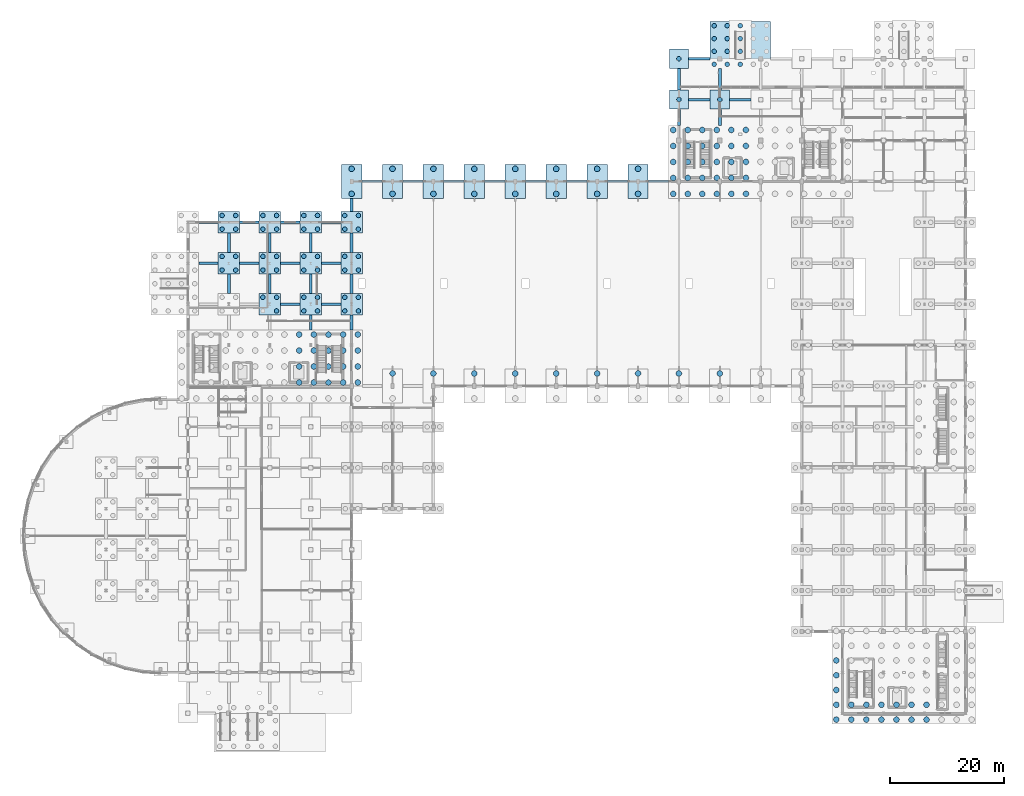
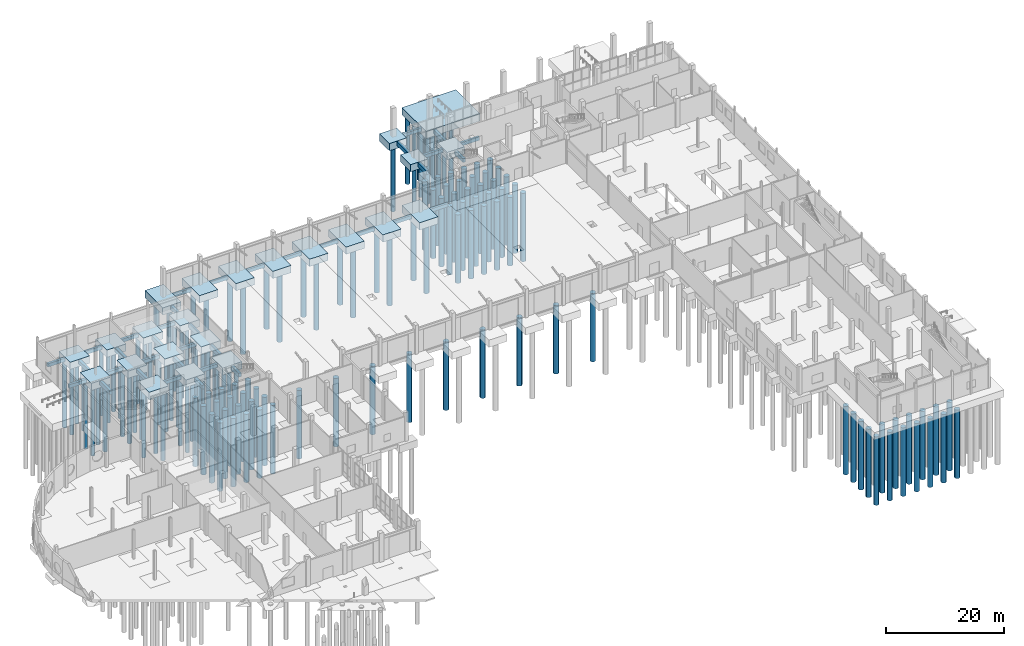
# One storey, part 3 of 45: 150 piles, 59 footings.
"""IFC4 building model written with IfcOpenShell, lengths in metres."""

from ifc_helpers import new_model, si_unit, direction, frame, origin, origin_2d, place, context, subcontext, project, spatial, rectangle, circle, extrude, material, material_profile, profile_set, type_object, element, save


model = new_model("IFC4")

# Units and contexts
model_context = context("Model", 3, precision=1e-05, world=origin(), true_north=direction((0.0, 1.0)))
body_context = subcontext(model_context, "Body", "Model", "MODEL_VIEW")
ifc_project = project(units=[si_unit("LENGTHUNIT", "METRE"), si_unit("AREAUNIT", "SQUARE_METRE"), si_unit("VOLUMEUNIT", "CUBIC_METRE"), si_unit("PLANEANGLEUNIT", "RADIAN"), si_unit("MASSUNIT", "GRAM", prefix="KILO")], contexts=[model_context])

# Site, building, storey
site_placement = place(None, origin())
site = spatial("IfcSite", under=ifc_project, at=site_placement, CompositionType="ELEMENT")
building_placement = place(site_placement, origin())
building = spatial("IfcBuilding", under=site, at=building_placement, Name="Yarey Park Central Fire Station", CompositionType="ELEMENT")
storey_placement = place(building_placement, origin())
storey = spatial("IfcBuildingStorey", under=building, at=storey_placement, Name="L01", CompositionType="ELEMENT", Elevation=0.0)

# Footings
ifc_material = material(Name="Concrete C35/45", Category="concrete")
footing_type_1 = type_object("IfcFootingType", Name="STR_CAP_M06", PredefinedType="PILE_CAP", material=ifc_material)
footing_1_placement = place(storey_placement, frame((126.0, 117.60009765625, -1.5), z_axis=(0.0, 0.0, 1.0), x_axis=(1.0, 0.0, 0.0)))
element("IfcFooting", 1, at=footing_1_placement, inside=storey, type_object=footing_type_1, Name="FDN_CAP_006", PredefinedType="PILE_CAP", context=body_context, shape_type="SweptSolid", body=[
    extrude(rectangle(XDim=10.60009765625, YDim=8.199951171875, at=origin_2d()), origin(), (0.0, 0.0, 1.0), 1.5),
])
footing_type_2 = type_object("IfcFootingType", Name="STR_CAP_PC4", PredefinedType="PILE_CAP", material=ifc_material)
for number, where, z_axis, x_axis, name in (
    (2, (115.199951171875, 108.0, -1.5), (0.0, 0.0, 1.0), (1.0, 0.0, 0.0), "FDN_CAP_086"),
    (3, (115.199951171875, 115.199951171875, -1.5), (0.0, 0.0, 1.0), (1.0, 0.0, 0.0), "FDN_CAP_087"),
    (4, (122.39990234375, 108.0, -1.5), (0.0, 0.0, 1.0), (1.0, 0.0, 0.0), "FDN_CAP_089"),
):
    element("IfcFooting", number, at=place(storey_placement, frame(where, z_axis=z_axis, x_axis=x_axis)), inside=storey, type_object=footing_type_2, Name=name, PredefinedType="PILE_CAP", context=body_context, shape_type="SweptSolid", body=[
        extrude(rectangle(XDim=3.39990234375, YDim=3.39990234375, at=origin_2d()), origin(), (0.0, 0.0, 1.0), 1.5),
    ])
footing_type_3 = type_object("IfcFootingType", Name="STR_CAP_PC4H", PredefinedType="PILE_CAP", material=ifc_material)
for number, where, z_axis, x_axis, name in (
    (5, (36.0, 79.199951171875, -1.5), (0.0, 0.0, 1.0), (1.0, 0.0, 0.0), "FDN_CAP_035"),
    (6, (36.0, 86.39990234375, -1.5), (0.0, 0.0, 1.0), (1.0, 0.0, 0.0), "FDN_CAP_036"),
    (7, (43.199951171875, 72.0, -1.5), (0.0, 0.0, 1.0), (1.0, 0.0, 0.0), "FDN_CAP_041"),
    (8, (43.199951171875, 79.199951171875, -1.5), (0.0, 0.0, 1.0), (1.0, 0.0, 0.0), "FDN_CAP_042"),
    (9, (43.199951171875, 86.39990234375, -1.5), (0.0, 0.0, 1.0), (1.0, 0.0, 0.0), "FDN_CAP_043"),
    (10, (50.39990234375, 72.0, -1.5), (0.0, 0.0, 1.0), (1.0, 0.0, 0.0), "FDN_CAP_051"),
    (11, (50.39990234375, 79.199951171875, -1.5), (0.0, 0.0, 1.0), (1.0, 0.0, 0.0), "FDN_CAP_052"),
    (12, (50.39990234375, 86.39990234375, -1.5), (0.0, 0.0, 1.0), (1.0, 0.0, 0.0), "FDN_CAP_053"),
    (13, (57.60009765625, 72.0, -1.5), (0.0, 0.0, 1.0), (1.0, 0.0, 0.0), "FDN_CAP_061"),
    (14, (57.60009765625, 79.199951171875, -1.5), (0.0, 0.0, 1.0), (1.0, 0.0, 0.0), "FDN_CAP_062"),
    (15, (57.60009765625, 86.39990234375, -1.5), (0.0, 0.0, 1.0), (1.0, 0.0, 0.0), "FDN_CAP_063"),
):
    element("IfcFooting", number, at=place(storey_placement, frame(where, z_axis=z_axis, x_axis=x_axis)), inside=storey, type_object=footing_type_3, Name=name, PredefinedType="PILE_CAP", context=body_context, shape_type="SweptSolid", body=[
        extrude(rectangle(XDim=3.800048828125, YDim=3.800048828125, at=origin_2d()), origin(), (0.0, 0.0, 1.0), 1.5),
    ])
footing_type_4 = type_object("IfcFootingType", Name="STR_CAP_PC6B", PredefinedType="PILE_CAP", material=ifc_material)
for number, where, z_axis, x_axis, name in (
    (16, (57.60009765625, 93.60009765625, -1.5), (0.0, 0.0, 1.0), (1.0, 0.0, 0.0), "FDN_CAP_064"),
    (17, (64.800048828125, 93.60009765625, -1.5), (0.0, 0.0, 1.0), (1.0, 0.0, 0.0), "FDN_CAP_069"),
    (18, (72.0, 93.60009765625, -1.5), (0.0, 0.0, 1.0), (1.0, 0.0, 0.0), "FDN_CAP_074"),
    (19, (79.199951171875, 93.60009765625, -1.5), (0.0, 0.0, 1.0), (1.0, 0.0, 0.0), "FDN_CAP_076"),
    (20, (86.39990234375, 93.60009765625, -1.5), (0.0, 0.0, 1.0), (1.0, 0.0, 0.0), "FDN_CAP_078"),
    (21, (93.60009765625, 93.60009765625, -1.5), (0.0, 0.0, 1.0), (1.0, 0.0, 0.0), "FDN_CAP_080"),
    (22, (100.800048828125, 93.60009765625, -1.5), (0.0, 0.0, 1.0), (1.0, 0.0, 0.0), "FDN_CAP_082"),
    (23, (108.0, 93.60009765625, -1.5), (0.0, 0.0, 1.0), (1.0, 0.0, 0.0), "FDN_CAP_084"),
):
    element("IfcFooting", number, at=place(storey_placement, frame(where, z_axis=z_axis, x_axis=x_axis)), inside=storey, type_object=footing_type_4, Name=name, PredefinedType="PILE_CAP", context=body_context, shape_type="SweptSolid", body=[
        extrude(rectangle(XDim=3.60009765625, YDim=6.0, at=origin_2d()), origin(), (0.0, 0.0, 1.0), 1.5),
    ])
footing_type_5 = type_object("IfcFootingType", Name="STR_GB_1", PredefinedType="FOOTING_BEAM", material=ifc_material)
for number, where, z_axis, x_axis, name in (
    (24, (46.800048828125, 72.0, -0.85009765625), (0.0, 0.0, 1.0), (1.0, 0.0, 0.0), "FDN_GBX_075"),
    (25, (54.0, 72.0, -0.85009765625), (0.0, 0.0, 1.0), (1.0, 0.0, 0.0), "FDN_GBX_076"),
    (26, (32.39990234375, 79.199951171875, -0.85009765625), (0.0, 0.0, 1.0), (1.0, 0.0, 0.0), "FDN_GBX_079"),
    (27, (39.60009765625, 79.199951171875, -0.85009765625), (0.0, 0.0, 1.0), (1.0, 0.0, 0.0), "FDN_GBX_080"),
    (28, (46.800048828125, 79.199951171875, -0.85009765625), (0.0, 0.0, 1.0), (1.0, 0.0, 0.0), "FDN_GBX_081"),
    (29, (54.0, 79.199951171875, -0.85009765625), (0.0, 0.0, 1.0), (1.0, 0.0, 0.0), "FDN_GBX_082"),
    (30, (32.39990234375, 86.39990234375, -0.85009765625), (0.0, 0.0, 1.0), (1.0, 0.0, 0.0), "FDN_GBX_085"),
    (31, (39.60009765625, 86.39990234375, -0.85009765625), (0.0, 0.0, 1.0), (1.0, 0.0, 0.0), "FDN_GBX_086"),
    (32, (46.800048828125, 86.39990234375, -0.85009765625), (0.0, 0.0, 1.0), (1.0, 0.0, 0.0), "FDN_GBX_087"),
    (33, (54.0, 86.39990234375, -0.85009765625), (0.0, 0.0, 1.0), (1.0, 0.0, 0.0), "FDN_GBX_088"),
):
    element("IfcFooting", number, at=place(storey_placement, frame(where, z_axis=z_axis, x_axis=x_axis)), inside=storey, type_object=footing_type_5, Name=name, PredefinedType="FOOTING_BEAM", context=body_context, shape_type="SweptSolid", body=[
        extrude(rectangle(XDim=3.384033203125, YDim=0.449951171875, at=origin_2d()), origin(), (0.0, 0.0, 1.0), 0.699951171875),
    ])
for number, where, z_axis, x_axis, name in (
    (34, (61.199951171875, 93.60009765625, -0.85009765625), (0.0, 0.0, 1.0), (1.0, 0.0, 0.0), "FDN_GBX_091"),
    (35, (68.39990234375, 93.60009765625, -0.85009765625), (0.0, 0.0, 1.0), (1.0, 0.0, 0.0), "FDN_GBX_092"),
    (36, (75.60009765625, 93.60009765625, -0.85009765625), (0.0, 0.0, 1.0), (1.0, 0.0, 0.0), "FDN_GBX_093"),
    (37, (82.800048828125, 93.60009765625, -0.85009765625), (0.0, 0.0, 1.0), (1.0, 0.0, 0.0), "FDN_GBX_094"),
    (38, (90.0, 93.60009765625, -0.85009765625), (0.0, 0.0, 1.0), (1.0, 0.0, 0.0), "FDN_GBX_095"),
    (39, (97.199951171875, 93.60009765625, -0.85009765625), (0.0, 0.0, 1.0), (1.0, 0.0, 0.0), "FDN_GBX_096"),
    (40, (104.39990234375, 93.60009765625, -0.85009765625), (0.0, 0.0, 1.0), (1.0, 0.0, 0.0), "FDN_GBX_097"),
    (41, (111.60009765625, 93.60009765625, -0.85009765625), (0.0, 0.0, 1.0), (1.0, 0.0, 0.0), "FDN_GBX_098"),
):
    element("IfcFooting", number, at=place(storey_placement, frame(where, z_axis=z_axis, x_axis=x_axis)), inside=storey, type_object=footing_type_5, Name=name, PredefinedType="FOOTING_BEAM", context=body_context, shape_type="SweptSolid", body=[
        extrude(rectangle(XDim=3.583984375, YDim=0.449951171875, at=origin_2d()), origin(), (0.0, 0.0, 1.0), 0.699951171875),
    ])
for number, where, z_axis, x_axis, name in (
    (42, (118.800048828125, 108.0, -0.85009765625), (0.0, 0.0, 1.0), (1.0, 0.0, 0.0), "FDN_GBX_105"),
    (43, (126.0, 108.0, -0.85009765625), (0.0, 0.0, 1.0), (1.0, 0.0, 0.0), "FDN_GBX_106"),
    (44, (118.800048828125, 115.199951171875, -0.85009765625), (0.0, 0.0, 1.0), (1.0, 0.0, 0.0), "FDN_GBX_112"),
):
    element("IfcFooting", number, at=place(storey_placement, frame(where, z_axis=z_axis, x_axis=x_axis)), inside=storey, type_object=footing_type_5, Name=name, PredefinedType="FOOTING_BEAM", context=body_context, shape_type="SweptSolid", body=[
        extrude(rectangle(XDim=3.783935546875, YDim=0.449951171875, at=origin_2d()), origin(), (0.0, 0.0, 1.0), 0.699951171875),
    ])
footing_type_6 = type_object("IfcFootingType", Name="STR_GB_2", PredefinedType="FOOTING_BEAM", material=ifc_material)
for number, where, z_axis, x_axis, name in (
    (45, (36.0, 75.60009765625, -0.89990234375), (0.0, 0.0, 1.0), (1.0, 0.0, 0.0), "FDN_GBY_142"),
    (46, (36.0, 82.800048828125, -0.89990234375), (0.0, 0.0, 1.0), (1.0, 0.0, 0.0), "FDN_GBY_143"),
    (47, (43.199951171875, 75.60009765625, -0.89990234375), (0.0, 0.0, 1.0), (1.0, 0.0, 0.0), "FDN_GBY_149"),
    (48, (43.199951171875, 82.800048828125, -0.89990234375), (0.0, 0.0, 1.0), (1.0, 0.0, 0.0), "FDN_GBY_150"),
):
    element("IfcFooting", number, at=place(storey_placement, frame(where, z_axis=z_axis, x_axis=x_axis)), inside=storey, type_object=footing_type_6, Name=name, PredefinedType="FOOTING_BEAM", context=body_context, shape_type="SweptSolid", body=[
        extrude(rectangle(XDim=0.5, YDim=3.384033203125, at=origin_2d()), origin(), (0.0, 0.0, 1.0), 0.800048828125),
    ])
footing_2_placement = place(storey_placement, frame((50.39990234375, 68.77490234375, -0.89990234375), z_axis=(0.0, 0.0, 1.0), x_axis=(1.0, 0.0, 0.0)))
element("IfcFooting", 49, at=footing_2_placement, inside=storey, type_object=footing_type_6, Name="FDN_GBY_158", PredefinedType="FOOTING_BEAM", context=body_context, shape_type="SweptSolid", body=[
    extrude(rectangle(XDim=0.5, YDim=2.634033203125, at=origin_2d()), origin(), (0.0, 0.0, 1.0), 0.800048828125),
])
for number, where, z_axis, x_axis, name in (
    (50, (50.39990234375, 75.60009765625, -0.89990234375), (0.0, 0.0, 1.0), (1.0, 0.0, 0.0), "FDN_GBY_159"),
    (51, (50.39990234375, 82.800048828125, -0.89990234375), (0.0, 0.0, 1.0), (1.0, 0.0, 0.0), "FDN_GBY_160"),
):
    element("IfcFooting", number, at=place(storey_placement, frame(where, z_axis=z_axis, x_axis=x_axis)), inside=storey, type_object=footing_type_6, Name=name, PredefinedType="FOOTING_BEAM", context=body_context, shape_type="SweptSolid", body=[
        extrude(rectangle(XDim=0.5, YDim=3.384033203125, at=origin_2d()), origin(), (0.0, 0.0, 1.0), 0.800048828125),
    ])
footing_3_placement = place(storey_placement, frame((57.60009765625, 68.77490234375, -0.89990234375), z_axis=(0.0, 0.0, 1.0), x_axis=(1.0, 0.0, 0.0)))
element("IfcFooting", 52, at=footing_3_placement, inside=storey, type_object=footing_type_6, Name="FDN_GBY_168", PredefinedType="FOOTING_BEAM", context=body_context, shape_type="SweptSolid", body=[
    extrude(rectangle(XDim=0.5, YDim=2.634033203125, at=origin_2d()), origin(), (0.0, 0.0, 1.0), 0.800048828125),
])
for number, where, z_axis, x_axis, name in (
    (53, (57.60009765625, 75.60009765625, -0.89990234375), (0.0, 0.0, 1.0), (1.0, 0.0, 0.0), "FDN_GBY_169"),
    (54, (57.60009765625, 82.800048828125, -0.89990234375), (0.0, 0.0, 1.0), (1.0, 0.0, 0.0), "FDN_GBY_170"),
):
    element("IfcFooting", number, at=place(storey_placement, frame(where, z_axis=z_axis, x_axis=x_axis)), inside=storey, type_object=footing_type_6, Name=name, PredefinedType="FOOTING_BEAM", context=body_context, shape_type="SweptSolid", body=[
        extrude(rectangle(XDim=0.5, YDim=3.384033203125, at=origin_2d()), origin(), (0.0, 0.0, 1.0), 0.800048828125),
    ])
footing_4_placement = place(storey_placement, frame((57.60009765625, 89.449951171875, -0.89990234375), z_axis=(0.0, 0.0, 1.0), x_axis=(1.0, 0.0, 0.0)))
element("IfcFooting", 55, at=footing_4_placement, inside=storey, type_object=footing_type_6, Name="FDN_GBY_171", PredefinedType="FOOTING_BEAM", context=body_context, shape_type="SweptSolid", body=[
    extrude(rectangle(XDim=0.5, YDim=2.283935546875, at=origin_2d()), origin(), (0.0, 0.0, 1.0), 0.800048828125),
])
footing_5_placement = place(storey_placement, frame((115.199951171875, 104.875, -0.89990234375), z_axis=(0.0, 0.0, 1.0), x_axis=(1.0, 0.0, 0.0)))
element("IfcFooting", 56, at=footing_5_placement, inside=storey, type_object=footing_type_6, Name="FDN_GBY_178", PredefinedType="FOOTING_BEAM", context=body_context, shape_type="SweptSolid", body=[
    extrude(rectangle(XDim=0.5, YDim=2.833984375, at=origin_2d()), origin(), (0.0, 0.0, 1.0), 0.800048828125),
])
footing_6_placement = place(storey_placement, frame((115.199951171875, 111.60009765625, -0.89990234375), z_axis=(0.0, 0.0, 1.0), x_axis=(1.0, 0.0, 0.0)))
element("IfcFooting", 57, at=footing_6_placement, inside=storey, type_object=footing_type_6, Name="FDN_GBY_179", PredefinedType="FOOTING_BEAM", context=body_context, shape_type="SweptSolid", body=[
    extrude(rectangle(XDim=0.5, YDim=3.783935546875, at=origin_2d()), origin(), (0.0, 0.0, 1.0), 0.800048828125),
])
footing_7_placement = place(storey_placement, frame((122.39990234375, 104.875, -0.89990234375), z_axis=(0.0, 0.0, 1.0), x_axis=(1.0, 0.0, 0.0)))
element("IfcFooting", 58, at=footing_7_placement, inside=storey, type_object=footing_type_6, Name="FDN_GBY_180", PredefinedType="FOOTING_BEAM", context=body_context, shape_type="SweptSolid", body=[
    extrude(rectangle(XDim=0.5, YDim=2.833984375, at=origin_2d()), origin(), (0.0, 0.0, 1.0), 0.800048828125),
])
footing_8_placement = place(storey_placement, frame((122.39990234375, 111.60009765625, -0.89990234375), z_axis=(0.0, 0.0, 1.0), x_axis=(1.0, 0.0, 0.0)))
element("IfcFooting", 59, at=footing_8_placement, inside=storey, type_object=footing_type_6, Name="FDN_GBY_181", PredefinedType="FOOTING_BEAM", context=body_context, shape_type="SweptSolid", body=[
    extrude(rectangle(XDim=0.5, YDim=3.783935546875, at=origin_2d()), origin(), (0.0, 0.0, 1.0), 0.800048828125),
])

# Piles
ifc_material_profile_1 = material_profile(ifc_material, circle(Radius=0.5, at=origin_2d()), Name="BORED PILE D1000")
ifc_profile_set_1 = profile_set([ifc_material_profile_1], Name="Concrete C35/45")
pile_type_1 = type_object("IfcPileType", Name="STR_PILE_D1000", PredefinedType="BORED", material=ifc_profile_set_1)
for number, where, z_axis, x_axis, name in (
    (60, (114.199951171875, 91.39990234375, -1.300048828125), (0.0, 0.0, -1.0), (1.0, 0.0, 0.0), "FDN_PILE_X11420_Y9140"),
    (61, (114.199951171875, 94.21240234375, -1.300048828125), (0.0, 0.0, -1.0), (1.0, 0.0, 0.0), "FDN_PILE_X11420_Y9421"),
    (62, (114.199951171875, 97.02490234375, -1.300048828125), (0.0, 0.0, -1.0), (1.0, 0.0, 0.0), "FDN_PILE_X11420_Y9702"),
    (63, (114.199951171875, 99.83740234375, -1.300048828125), (0.0, 0.0, -1.0), (1.0, 0.0, 0.0), "FDN_PILE_X11420_Y9984"),
    (64, (114.199951171875, 102.64990234375, -1.300048828125), (0.0, 0.0, -1.0), (1.0, 0.0, 0.0), "FDN_PILE_X11420_Y10265"),
    (65, (116.75830078125, 91.39990234375, -1.300048828125), (0.0, 0.0, -1.0), (1.0, 0.0, 0.0), "FDN_PILE_X11676_Y9140"),
    (66, (116.75830078125, 94.21240234375, -1.300048828125), (0.0, 0.0, -1.0), (1.0, 0.0, 0.0), "FDN_PILE_X11676_Y9421"),
    (67, (116.75830078125, 97.02490234375, -1.300048828125), (0.0, 0.0, -1.0), (1.0, 0.0, 0.0), "FDN_PILE_X11676_Y9702"),
    (68, (116.75830078125, 99.83740234375, -1.300048828125), (0.0, 0.0, -1.0), (1.0, 0.0, 0.0), "FDN_PILE_X11676_Y9984"),
    (69, (116.75830078125, 102.64990234375, -1.300048828125), (0.0, 0.0, -1.0), (1.0, 0.0, 0.0), "FDN_PILE_X11676_Y10265"),
    (70, (119.316650390625, 91.39990234375, -1.300048828125), (0.0, 0.0, -1.0), (1.0, 0.0, 0.0), "FDN_PILE_X11932_Y9140"),
    (71, (119.316650390625, 94.21240234375, -1.300048828125), (0.0, 0.0, -1.0), (1.0, 0.0, 0.0), "FDN_PILE_X11932_Y9421"),
    (72, (119.316650390625, 97.02490234375, -1.300048828125), (0.0, 0.0, -1.0), (1.0, 0.0, 0.0), "FDN_PILE_X11932_Y9702"),
    (73, (119.316650390625, 99.83740234375, -1.300048828125), (0.0, 0.0, -1.0), (1.0, 0.0, 0.0), "FDN_PILE_X11932_Y9984"),
    (74, (119.316650390625, 102.64990234375, -1.300048828125), (0.0, 0.0, -1.0), (1.0, 0.0, 0.0), "FDN_PILE_X11932_Y10265"),
    (75, (121.875, 91.39990234375, -1.300048828125), (0.0, 0.0, -1.0), (1.0, 0.0, 0.0), "FDN_PILE_X12188_Y9140"),
    (76, (121.875, 94.21240234375, -1.300048828125), (0.0, 0.0, -1.0), (1.0, 0.0, 0.0), "FDN_PILE_X12188_Y9421"),
    (77, (121.875, 97.02490234375, -1.300048828125), (0.0, 0.0, -1.0), (1.0, 0.0, 0.0), "FDN_PILE_X12188_Y9702"),
    (78, (121.875, 99.83740234375, -1.300048828125), (0.0, 0.0, -1.0), (1.0, 0.0, 0.0), "FDN_PILE_X12188_Y9984"),
    (79, (121.875, 102.64990234375, -1.300048828125), (0.0, 0.0, -1.0), (1.0, 0.0, 0.0), "FDN_PILE_X12188_Y10265"),
    (80, (124.433349609375, 91.39990234375, -1.300048828125), (0.0, 0.0, -1.0), (1.0, 0.0, 0.0), "FDN_PILE_X12443_Y9140"),
    (81, (124.433349609375, 94.21240234375, -1.300048828125), (0.0, 0.0, -1.0), (1.0, 0.0, 0.0), "FDN_PILE_X12443_Y9421"),
    (82, (124.433349609375, 97.02490234375, -1.300048828125), (0.0, 0.0, -1.0), (1.0, 0.0, 0.0), "FDN_PILE_X12443_Y9702"),
    (83, (124.433349609375, 99.83740234375, -1.300048828125), (0.0, 0.0, -1.0), (1.0, 0.0, 0.0), "FDN_PILE_X12443_Y9984"),
    (84, (124.433349609375, 102.64990234375, -1.300048828125), (0.0, 0.0, -1.0), (1.0, 0.0, 0.0), "FDN_PILE_X12443_Y10265"),
    (85, (126.99169921875, 91.39990234375, -1.300048828125), (0.0, 0.0, -1.0), (1.0, 0.0, 0.0), "FDN_PILE_X12699_Y9140"),
    (86, (126.99169921875, 94.21240234375, -1.300048828125), (0.0, 0.0, -1.0), (1.0, 0.0, 0.0), "FDN_PILE_X12699_Y9421"),
    (87, (126.99169921875, 97.02490234375, -1.300048828125), (0.0, 0.0, -1.0), (1.0, 0.0, 0.0), "FDN_PILE_X12699_Y9702"),
    (88, (126.99169921875, 99.83740234375, -1.300048828125), (0.0, 0.0, -1.0), (1.0, 0.0, 0.0), "FDN_PILE_X12699_Y9984"),
    (89, (126.99169921875, 102.64990234375, -1.300048828125), (0.0, 0.0, -1.0), (1.0, 0.0, 0.0), "FDN_PILE_X12699_Y10265"),
    (90, (48.36669921875, 58.21240234375, -1.300048828125), (0.0, 0.0, -1.0), (1.0, 0.0, 0.0), "FDN_PILE_X4837_Y5821"),
    (91, (48.36669921875, 61.02490234375, -1.300048828125), (0.0, 0.0, -1.0), (1.0, 0.0, 0.0), "FDN_PILE_X4837_Y6102"),
    (92, (48.36669921875, 63.83740234375, -1.300048828125), (0.0, 0.0, -1.0), (1.0, 0.0, 0.0), "FDN_PILE_X4837_Y6384"),
    (93, (48.36669921875, 66.64990234375, -1.300048828125), (0.0, 0.0, -1.0), (1.0, 0.0, 0.0), "FDN_PILE_X4837_Y6665"),
    (94, (50.949951171875, 58.21240234375, -1.300048828125), (0.0, 0.0, -1.0), (1.0, 0.0, 0.0), "FDN_PILE_X5095_Y5821"),
    (95, (50.949951171875, 61.02490234375, -1.300048828125), (0.0, 0.0, -1.0), (1.0, 0.0, 0.0), "FDN_PILE_X5095_Y6102"),
    (96, (50.949951171875, 63.83740234375, -1.300048828125), (0.0, 0.0, -1.0), (1.0, 0.0, 0.0), "FDN_PILE_X5095_Y6384"),
    (97, (50.949951171875, 66.64990234375, -1.300048828125), (0.0, 0.0, -1.0), (1.0, 0.0, 0.0), "FDN_PILE_X5095_Y6665"),
    (98, (53.533203125, 58.21240234375, -1.300048828125), (0.0, 0.0, -1.0), (1.0, 0.0, 0.0), "FDN_PILE_X5353_Y5821"),
    (99, (53.533203125, 61.02490234375, -1.300048828125), (0.0, 0.0, -1.0), (1.0, 0.0, 0.0), "FDN_PILE_X5353_Y6102"),
    (100, (53.533203125, 63.83740234375, -1.300048828125), (0.0, 0.0, -1.0), (1.0, 0.0, 0.0), "FDN_PILE_X5353_Y6384"),
    (101, (53.533203125, 66.64990234375, -1.300048828125), (0.0, 0.0, -1.0), (1.0, 0.0, 0.0), "FDN_PILE_X5353_Y6665"),
    (102, (56.11669921875, 58.21240234375, -1.300048828125), (0.0, 0.0, -1.0), (1.0, 0.0, 0.0), "FDN_PILE_X5612_Y5821"),
    (103, (56.11669921875, 61.02490234375, -1.300048828125), (0.0, 0.0, -1.0), (1.0, 0.0, 0.0), "FDN_PILE_X5612_Y6102"),
    (104, (56.11669921875, 63.83740234375, -1.300048828125), (0.0, 0.0, -1.0), (1.0, 0.0, 0.0), "FDN_PILE_X5612_Y6384"),
    (105, (56.11669921875, 66.64990234375, -1.300048828125), (0.0, 0.0, -1.0), (1.0, 0.0, 0.0), "FDN_PILE_X5612_Y6665"),
    (106, (58.699951171875, 58.21240234375, -1.300048828125), (0.0, 0.0, -1.0), (1.0, 0.0, 0.0), "FDN_PILE_X5870_Y5821"),
    (107, (58.699951171875, 61.02490234375, -1.300048828125), (0.0, 0.0, -1.0), (1.0, 0.0, 0.0), "FDN_PILE_X5870_Y6102"),
    (108, (58.699951171875, 63.83740234375, -1.300048828125), (0.0, 0.0, -1.0), (1.0, 0.0, 0.0), "FDN_PILE_X5870_Y6384"),
    (109, (58.699951171875, 66.64990234375, -1.300048828125), (0.0, 0.0, -1.0), (1.0, 0.0, 0.0), "FDN_PILE_X5870_Y6665"),
    (110, (142.89990234375, -1.10009765625, -1.300048828125), (0.0, 0.0, -1.0), (1.0, 0.0, 0.0), "FDN_PILE_X14290_Y-110"),
    (111, (142.89990234375, 1.5, -1.300048828125), (0.0, 0.0, -1.0), (1.0, 0.0, 0.0), "FDN_PILE_X14290_Y150"),
    (112, (142.89990234375, 4.10009765625, -1.300048828125), (0.0, 0.0, -1.0), (1.0, 0.0, 0.0), "FDN_PILE_X14290_Y410"),
    (113, (142.89990234375, 6.699951171875, -1.300048828125), (0.0, 0.0, -1.0), (1.0, 0.0, 0.0), "FDN_PILE_X14290_Y670"),
    (114, (142.89990234375, 9.300048828125, -1.300048828125), (0.0, 0.0, -1.0), (1.0, 0.0, 0.0), "FDN_PILE_X14290_Y930"),
    (115, (145.54443359375, -1.10009765625, -1.300048828125), (0.0, 0.0, -1.0), (1.0, 0.0, 0.0), "FDN_PILE_X14554_Y-110"),
    (116, (145.54443359375, 1.5, -1.300048828125), (0.0, 0.0, -1.0), (1.0, 0.0, 0.0), "FDN_PILE_X14554_Y150"),
    (117, (148.18896484375, -1.10009765625, -1.300048828125), (0.0, 0.0, -1.0), (1.0, 0.0, 0.0), "FDN_PILE_X14819_Y-110"),
    (118, (148.18896484375, 1.5, -1.300048828125), (0.0, 0.0, -1.0), (1.0, 0.0, 0.0), "FDN_PILE_X14819_Y150"),
    (119, (150.833251953125, -1.10009765625, -1.300048828125), (0.0, 0.0, -1.0), (1.0, 0.0, 0.0), "FDN_PILE_X15083_Y-110"),
    (120, (150.833251953125, 1.5, -1.300048828125), (0.0, 0.0, -1.0), (1.0, 0.0, 0.0), "FDN_PILE_X15083_Y150"),
    (121, (153.477783203125, -1.10009765625, -1.300048828125), (0.0, 0.0, -1.0), (1.0, 0.0, 0.0), "FDN_PILE_X15348_Y-110"),
    (122, (153.477783203125, 1.5, -1.300048828125), (0.0, 0.0, -1.0), (1.0, 0.0, 0.0), "FDN_PILE_X15348_Y150"),
    (123, (156.122314453125, -1.10009765625, -1.300048828125), (0.0, 0.0, -1.0), (1.0, 0.0, 0.0), "FDN_PILE_X15612_Y-110"),
    (124, (156.122314453125, 1.5, -1.300048828125), (0.0, 0.0, -1.0), (1.0, 0.0, 0.0), "FDN_PILE_X15612_Y150"),
    (125, (158.7666015625, -1.10009765625, -1.300048828125), (0.0, 0.0, -1.0), (1.0, 0.0, 0.0), "FDN_PILE_X15877_Y-110"),
    (126, (158.7666015625, 1.5, -1.300048828125), (0.0, 0.0, -1.0), (1.0, 0.0, 0.0), "FDN_PILE_X15877_Y150"),
    (127, (57.60009765625, 91.39990234375, -1.300048828125), (0.0, 0.0, -1.0), (1.0, 0.0, 0.0), "FDN_PILE_X5760_Y9140"),
    (128, (57.60009765625, 95.800048828125, -1.300048828125), (0.0, 0.0, -1.0), (1.0, 0.0, 0.0), "FDN_PILE_X5760_Y9580"),
    (129, (64.800048828125, 59.800048828125, -1.300048828125), (0.0, 0.0, -1.0), (1.0, 0.0, 0.0), "FDN_PILE_X6480_Y5980"),
    (130, (64.800048828125, 91.39990234375, -1.300048828125), (0.0, 0.0, -1.0), (1.0, 0.0, 0.0), "FDN_PILE_X6480_Y9140"),
    (131, (64.800048828125, 95.800048828125, -1.300048828125), (0.0, 0.0, -1.0), (1.0, 0.0, 0.0), "FDN_PILE_X6480_Y9580"),
    (132, (72.0, 59.800048828125, -1.300048828125), (0.0, 0.0, -1.0), (1.0, 0.0, 0.0), "FDN_PILE_X7200_Y5980"),
    (133, (72.0, 91.39990234375, -1.300048828125), (0.0, 0.0, -1.0), (1.0, 0.0, 0.0), "FDN_PILE_X7200_Y9140"),
    (134, (72.0, 95.800048828125, -1.300048828125), (0.0, 0.0, -1.0), (1.0, 0.0, 0.0), "FDN_PILE_X7200_Y9580"),
    (135, (79.199951171875, 59.800048828125, -1.300048828125), (0.0, 0.0, -1.0), (1.0, 0.0, 0.0), "FDN_PILE_X7920_Y5980"),
    (136, (79.199951171875, 91.39990234375, -1.300048828125), (0.0, 0.0, -1.0), (1.0, 0.0, 0.0), "FDN_PILE_X7920_Y9140"),
    (137, (79.199951171875, 95.800048828125, -1.300048828125), (0.0, 0.0, -1.0), (1.0, 0.0, 0.0), "FDN_PILE_X7920_Y9580"),
    (138, (86.39990234375, 59.800048828125, -1.300048828125), (0.0, 0.0, -1.0), (1.0, 0.0, 0.0), "FDN_PILE_X8640_Y5980"),
    (139, (86.39990234375, 91.39990234375, -1.300048828125), (0.0, 0.0, -1.0), (1.0, 0.0, 0.0), "FDN_PILE_X8640_Y9140"),
    (140, (86.39990234375, 95.800048828125, -1.300048828125), (0.0, 0.0, -1.0), (1.0, 0.0, 0.0), "FDN_PILE_X8640_Y9580"),
    (141, (93.60009765625, 59.800048828125, -1.300048828125), (0.0, 0.0, -1.0), (1.0, 0.0, 0.0), "FDN_PILE_X9360_Y5980"),
    (142, (93.60009765625, 91.39990234375, -1.300048828125), (0.0, 0.0, -1.0), (1.0, 0.0, 0.0), "FDN_PILE_X9360_Y9140"),
    (143, (93.60009765625, 95.800048828125, -1.300048828125), (0.0, 0.0, -1.0), (1.0, 0.0, 0.0), "FDN_PILE_X9360_Y9580"),
    (144, (100.800048828125, 59.800048828125, -1.300048828125), (0.0, 0.0, -1.0), (1.0, 0.0, 0.0), "FDN_PILE_X10080_Y5980"),
    (145, (100.800048828125, 91.39990234375, -1.300048828125), (0.0, 0.0, -1.0), (1.0, 0.0, 0.0), "FDN_PILE_X10080_Y9140"),
    (146, (100.800048828125, 95.800048828125, -1.300048828125), (0.0, 0.0, -1.0), (1.0, 0.0, 0.0), "FDN_PILE_X10080_Y9580"),
    (147, (108.0, 59.800048828125, -1.300048828125), (0.0, 0.0, -1.0), (1.0, 0.0, 0.0), "FDN_PILE_X10800_Y5980"),
    (148, (108.0, 91.39990234375, -1.300048828125), (0.0, 0.0, -1.0), (1.0, 0.0, 0.0), "FDN_PILE_X10800_Y9140"),
    (149, (108.0, 95.800048828125, -1.300048828125), (0.0, 0.0, -1.0), (1.0, 0.0, 0.0), "FDN_PILE_X10800_Y9580"),
    (150, (115.199951171875, 59.800048828125, -1.300048828125), (0.0, 0.0, -1.0), (1.0, 0.0, 0.0), "FDN_PILE_X11520_Y5980"),
    (151, (122.39990234375, 59.800048828125, -1.300048828125), (0.0, 0.0, -1.0), (1.0, 0.0, 0.0), "FDN_PILE_X12240_Y5980"),
):
    element("IfcPile", number, at=place(storey_placement, frame(where, z_axis=z_axis, x_axis=x_axis)), inside=storey, type_object=pile_type_1, Name=name, PredefinedType="BORED", context=body_context, shape_type="SweptSolid", body=[
        extrude(circle(Radius=0.5, at=origin_2d()), origin(), (0.0, 0.0, 1.0), 14.199951171875),
    ])
ifc_material_profile_2 = material_profile(ifc_material, circle(Radius=0.39990234375, at=origin_2d()), Name="BORED PILE D800")
ifc_profile_set_2 = profile_set([ifc_material_profile_2], Name="Concrete C35/45")
pile_type_2 = type_object("IfcPileType", Name="STR_PILE_D800", PredefinedType="BORED", material=ifc_profile_set_2)
for number, where, z_axis, x_axis, name in (
    (152, (121.39990234375, 114.199951171875, -1.300048828125), (0.0, 0.0, -1.0), (1.0, 0.0, 0.0), "FDN_PILE_X12140_Y11420"),
    (153, (121.39990234375, 116.466796875, -1.300048828125), (0.0, 0.0, -1.0), (1.0, 0.0, 0.0), "FDN_PILE_X12140_Y11647"),
    (154, (121.39990234375, 118.7333984375, -1.300048828125), (0.0, 0.0, -1.0), (1.0, 0.0, 0.0), "FDN_PILE_X12140_Y11873"),
    (155, (121.39990234375, 121.0, -1.300048828125), (0.0, 0.0, -1.0), (1.0, 0.0, 0.0), "FDN_PILE_X12140_Y12100"),
    (156, (123.699951171875, 114.199951171875, -1.300048828125), (0.0, 0.0, -1.0), (1.0, 0.0, 0.0), "FDN_PILE_X12370_Y11420"),
    (157, (123.699951171875, 116.466796875, -1.300048828125), (0.0, 0.0, -1.0), (1.0, 0.0, 0.0), "FDN_PILE_X12370_Y11647"),
    (158, (123.699951171875, 118.7333984375, -1.300048828125), (0.0, 0.0, -1.0), (1.0, 0.0, 0.0), "FDN_PILE_X12370_Y11873"),
    (159, (123.699951171875, 121.0, -1.300048828125), (0.0, 0.0, -1.0), (1.0, 0.0, 0.0), "FDN_PILE_X12370_Y12100"),
    (160, (126.0, 114.199951171875, -1.300048828125), (0.0, 0.0, -1.0), (1.0, 0.0, 0.0), "FDN_PILE_X12600_Y11420"),
    (161, (126.0, 116.466796875, -1.300048828125), (0.0, 0.0, -1.0), (1.0, 0.0, 0.0), "FDN_PILE_X12600_Y11647"),
    (162, (126.0, 118.7333984375, -1.300048828125), (0.0, 0.0, -1.0), (1.0, 0.0, 0.0), "FDN_PILE_X12600_Y11873"),
    (163, (126.0, 121.0, -1.300048828125), (0.0, 0.0, -1.0), (1.0, 0.0, 0.0), "FDN_PILE_X12600_Y12100"),
    (164, (34.800048828125, 78.0, -1.300048828125), (0.0, 0.0, -1.0), (1.0, 0.0, 0.0), "FDN_PILE_X3480_Y7800"),
    (165, (34.800048828125, 80.39990234375, -1.300048828125), (0.0, 0.0, -1.0), (1.0, 0.0, 0.0), "FDN_PILE_X3480_Y8040"),
    (166, (37.199951171875, 78.0, -1.300048828125), (0.0, 0.0, -1.0), (1.0, 0.0, 0.0), "FDN_PILE_X3720_Y7800"),
    (167, (37.199951171875, 80.39990234375, -1.300048828125), (0.0, 0.0, -1.0), (1.0, 0.0, 0.0), "FDN_PILE_X3720_Y8040"),
    (168, (34.800048828125, 85.199951171875, -1.300048828125), (0.0, 0.0, -1.0), (1.0, 0.0, 0.0), "FDN_PILE_X3480_Y8520"),
    (169, (34.800048828125, 87.60009765625, -1.300048828125), (0.0, 0.0, -1.0), (1.0, 0.0, 0.0), "FDN_PILE_X3480_Y8760"),
    (170, (37.199951171875, 85.199951171875, -1.300048828125), (0.0, 0.0, -1.0), (1.0, 0.0, 0.0), "FDN_PILE_X3720_Y8520"),
    (171, (37.199951171875, 87.60009765625, -1.300048828125), (0.0, 0.0, -1.0), (1.0, 0.0, 0.0), "FDN_PILE_X3720_Y8760"),
    (172, (42.0, 73.199951171875, -1.300048828125), (0.0, 0.0, -1.0), (1.0, 0.0, 0.0), "FDN_PILE_X4200_Y7320"),
    (173, (44.39990234375, 70.800048828125, -1.300048828125), (0.0, 0.0, -1.0), (1.0, 0.0, 0.0), "FDN_PILE_X4440_Y7080"),
    (174, (44.39990234375, 73.199951171875, -1.300048828125), (0.0, 0.0, -1.0), (1.0, 0.0, 0.0), "FDN_PILE_X4440_Y7320"),
    (175, (42.0, 78.0, -1.300048828125), (0.0, 0.0, -1.0), (1.0, 0.0, 0.0), "FDN_PILE_X4200_Y7800"),
    (176, (42.0, 80.39990234375, -1.300048828125), (0.0, 0.0, -1.0), (1.0, 0.0, 0.0), "FDN_PILE_X4200_Y8040"),
    (177, (44.39990234375, 78.0, -1.300048828125), (0.0, 0.0, -1.0), (1.0, 0.0, 0.0), "FDN_PILE_X4440_Y7800"),
    (178, (44.39990234375, 80.39990234375, -1.300048828125), (0.0, 0.0, -1.0), (1.0, 0.0, 0.0), "FDN_PILE_X4440_Y8040"),
    (179, (42.0, 85.199951171875, -1.300048828125), (0.0, 0.0, -1.0), (1.0, 0.0, 0.0), "FDN_PILE_X4200_Y8520"),
    (180, (42.0, 87.60009765625, -1.300048828125), (0.0, 0.0, -1.0), (1.0, 0.0, 0.0), "FDN_PILE_X4200_Y8760"),
    (181, (44.39990234375, 85.199951171875, -1.300048828125), (0.0, 0.0, -1.0), (1.0, 0.0, 0.0), "FDN_PILE_X4440_Y8520"),
    (182, (44.39990234375, 87.60009765625, -1.300048828125), (0.0, 0.0, -1.0), (1.0, 0.0, 0.0), "FDN_PILE_X4440_Y8760"),
    (183, (49.199951171875, 70.800048828125, -1.300048828125), (0.0, 0.0, -1.0), (1.0, 0.0, 0.0), "FDN_PILE_X4920_Y7080"),
    (184, (49.199951171875, 73.199951171875, -1.300048828125), (0.0, 0.0, -1.0), (1.0, 0.0, 0.0), "FDN_PILE_X4920_Y7320"),
    (185, (51.60009765625, 70.800048828125, -1.300048828125), (0.0, 0.0, -1.0), (1.0, 0.0, 0.0), "FDN_PILE_X5160_Y7080"),
    (186, (51.60009765625, 73.199951171875, -1.300048828125), (0.0, 0.0, -1.0), (1.0, 0.0, 0.0), "FDN_PILE_X5160_Y7320"),
    (187, (49.199951171875, 78.0, -1.300048828125), (0.0, 0.0, -1.0), (1.0, 0.0, 0.0), "FDN_PILE_X4920_Y7800"),
    (188, (49.199951171875, 80.39990234375, -1.300048828125), (0.0, 0.0, -1.0), (1.0, 0.0, 0.0), "FDN_PILE_X4920_Y8040"),
    (189, (51.60009765625, 78.0, -1.300048828125), (0.0, 0.0, -1.0), (1.0, 0.0, 0.0), "FDN_PILE_X5160_Y7800"),
    (190, (51.60009765625, 80.39990234375, -1.300048828125), (0.0, 0.0, -1.0), (1.0, 0.0, 0.0), "FDN_PILE_X5160_Y8040"),
    (191, (49.199951171875, 85.199951171875, -1.300048828125), (0.0, 0.0, -1.0), (1.0, 0.0, 0.0), "FDN_PILE_X4920_Y8520"),
    (192, (49.199951171875, 87.60009765625, -1.300048828125), (0.0, 0.0, -1.0), (1.0, 0.0, 0.0), "FDN_PILE_X4920_Y8760"),
    (193, (51.60009765625, 85.199951171875, -1.300048828125), (0.0, 0.0, -1.0), (1.0, 0.0, 0.0), "FDN_PILE_X5160_Y8520"),
    (194, (51.60009765625, 87.60009765625, -1.300048828125), (0.0, 0.0, -1.0), (1.0, 0.0, 0.0), "FDN_PILE_X5160_Y8760"),
    (195, (56.39990234375, 70.800048828125, -1.300048828125), (0.0, 0.0, -1.0), (1.0, 0.0, 0.0), "FDN_PILE_X5640_Y7080"),
    (196, (56.39990234375, 73.199951171875, -1.300048828125), (0.0, 0.0, -1.0), (1.0, 0.0, 0.0), "FDN_PILE_X5640_Y7320"),
    (197, (58.800048828125, 70.800048828125, -1.300048828125), (0.0, 0.0, -1.0), (1.0, 0.0, 0.0), "FDN_PILE_X5880_Y7080"),
    (198, (58.800048828125, 73.199951171875, -1.300048828125), (0.0, 0.0, -1.0), (1.0, 0.0, 0.0), "FDN_PILE_X5880_Y7320"),
    (199, (56.39990234375, 78.0, -1.300048828125), (0.0, 0.0, -1.0), (1.0, 0.0, 0.0), "FDN_PILE_X5640_Y7800"),
    (200, (56.39990234375, 80.39990234375, -1.300048828125), (0.0, 0.0, -1.0), (1.0, 0.0, 0.0), "FDN_PILE_X5640_Y8040"),
    (201, (58.800048828125, 78.0, -1.300048828125), (0.0, 0.0, -1.0), (1.0, 0.0, 0.0), "FDN_PILE_X5880_Y7800"),
    (202, (58.800048828125, 80.39990234375, -1.300048828125), (0.0, 0.0, -1.0), (1.0, 0.0, 0.0), "FDN_PILE_X5880_Y8040"),
    (203, (56.39990234375, 85.199951171875, -1.300048828125), (0.0, 0.0, -1.0), (1.0, 0.0, 0.0), "FDN_PILE_X5640_Y8520"),
    (204, (56.39990234375, 87.60009765625, -1.300048828125), (0.0, 0.0, -1.0), (1.0, 0.0, 0.0), "FDN_PILE_X5640_Y8760"),
    (205, (58.800048828125, 85.199951171875, -1.300048828125), (0.0, 0.0, -1.0), (1.0, 0.0, 0.0), "FDN_PILE_X5880_Y8520"),
    (206, (58.800048828125, 87.60009765625, -1.300048828125), (0.0, 0.0, -1.0), (1.0, 0.0, 0.0), "FDN_PILE_X5880_Y8760"),
    (207, (115.199951171875, 108.0, -1.300048828125), (0.0, 0.0, -1.0), (1.0, 0.0, 0.0), "FDN_PILE_X11520_Y10800"),
    (208, (115.199951171875, 115.199951171875, -1.300048828125), (0.0, 0.0, -1.0), (1.0, 0.0, 0.0), "FDN_PILE_X11520_Y11520"),
    (209, (122.39990234375, 108.0, -1.300048828125), (0.0, 0.0, -1.0), (1.0, 0.0, 0.0), "FDN_PILE_X12240_Y10800"),
):
    element("IfcPile", number, at=place(storey_placement, frame(where, z_axis=z_axis, x_axis=x_axis)), inside=storey, type_object=pile_type_2, Name=name, PredefinedType="BORED", context=body_context, shape_type="SweptSolid", body=[
        extrude(circle(Radius=0.39990234375, at=origin_2d()), origin(), (0.0, 0.0, 1.0), 14.199951171875),
    ])

save(model, "model.ifc")
